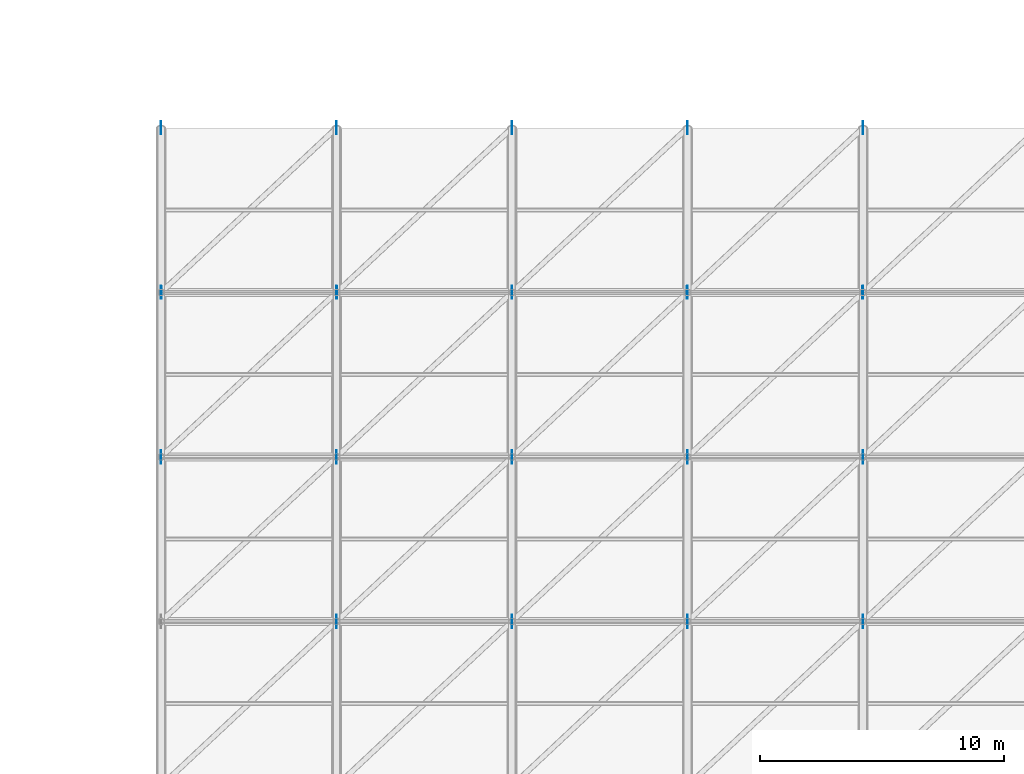
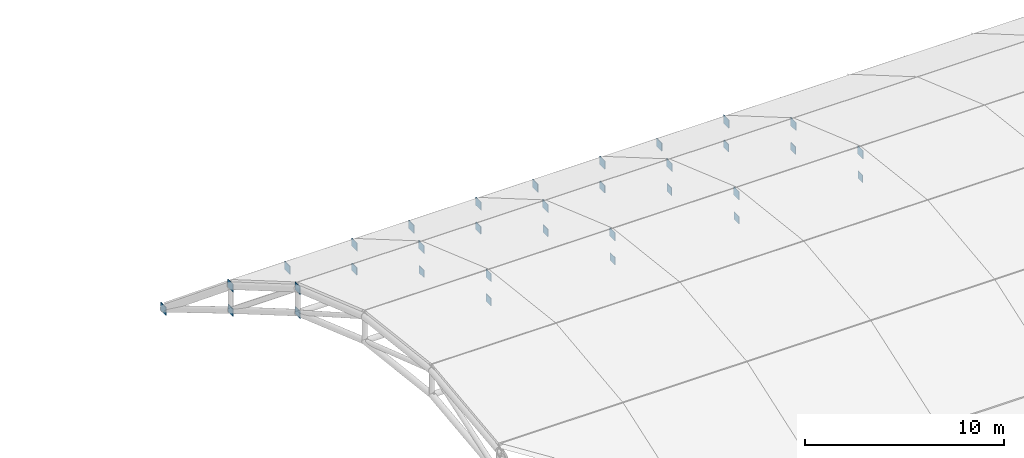
# One storey, part 60 of 72: 33 plates.
"""IFC4 building model written with IfcOpenShell, lengths in metres."""

from ifc_helpers import new_model, si_unit, direction, frame, origin, origin_2d, place, context, subcontext, project, spatial, rectangle, extrude, material, layer, layer_set, type_object, element, save


model = new_model("IFC4")

# Units and contexts
model_context = context("Model", 3, precision=1e-05, world=origin(), true_north=direction((0.0, 1.0)))
body_context = subcontext(model_context, "Body", "Model", "MODEL_VIEW")
ifc_project = project(units=[si_unit("LENGTHUNIT", "METRE"), si_unit("AREAUNIT", "SQUARE_METRE"), si_unit("VOLUMEUNIT", "CUBIC_METRE"), si_unit("PLANEANGLEUNIT", "RADIAN"), si_unit("MASSUNIT", "GRAM", prefix="KILO")], contexts=[model_context])

# Site, building, storey
site_placement = place(None, origin())
site = spatial("IfcSite", under=ifc_project, at=site_placement, CompositionType="ELEMENT")
building_placement = place(site_placement, origin())
building = spatial("IfcBuilding", under=site, at=building_placement, Name="Vaelcorin Mobility Hub", CompositionType="ELEMENT")
storey_placement = place(building_placement, frame((0.0, 0.0, 25.800048828125)))
storey = spatial("IfcBuildingStorey", under=building, at=storey_placement, Name="RF", CompositionType="ELEMENT", Elevation=25.800048828125)

# Plates
ifc_material = material(Name="Steel ASTM A572 Grade 50", Category="steel")
ifc_layer_1 = layer(ifc_material, 0.0400390625)
ifc_layer_set_1 = layer_set([ifc_layer_1], Name="Steel ASTM A572 Grade 50")
plate_type_1 = type_object("IfcPlateType", Name="PL-SN1", PredefinedType="USERDEFINED", material=ifc_layer_set_1)
for number, where, z_axis, x_axis, name in (
    (1, (36.0, 53.25, -16.01806640625), (0.0, 0.0, 1.0), (1.0, 0.0, 0.0), "Space-Frame Lower Node Gusset 1-7"),
    (2, (43.199951171875, 53.25, -16.01806640625), (0.0, 0.0, 1.0), (1.0, 0.0, 0.0), "Space-Frame Lower Node Gusset 2-7"),
    (3, (50.39990234375, 53.25, -16.01806640625), (0.0, 0.0, 1.0), (1.0, 0.0, 0.0), "Space-Frame Lower Node Gusset 3-7"),
    (4, (57.60009765625, 53.25, -16.01806640625), (0.0, 0.0, 1.0), (1.0, 0.0, 0.0), "Space-Frame Lower Node Gusset 4-7"),
    (5, (64.800048828125, 53.25, -16.01806640625), (0.0, 0.0, 1.0), (1.0, 0.0, 0.0), "Space-Frame Lower Node Gusset 5-7"),
):
    element("IfcPlate", number, at=place(storey_placement, frame(where, z_axis=z_axis, x_axis=x_axis)), inside=storey, type_object=plate_type_1, Name=name, ObjectType="GUSSET PLATE", PredefinedType="USERDEFINED", context=body_context, shape_type="SweptSolid", body=[
        extrude(rectangle(XDim=0.0400390625, YDim=0.5, at=origin_2d()), origin(), (0.0, 0.0, 1.0), 0.4599609375),
    ])
ifc_layer_2 = layer(ifc_material, 0.035888671875)
ifc_layer_set_2 = layer_set([ifc_layer_2], Name="Steel ASTM A572 Grade 50")
plate_type_2 = type_object("IfcPlateType", Name="PL-SN2", PredefinedType="USERDEFINED", material=ifc_layer_set_2)
for number, where, z_axis, x_axis, name in (
    (6, (36.0, 60.0, -20.050048828125), (0.0, 0.0, 1.0), (1.0, 0.0, 0.0), "Space-Frame Node Gusset SN2 1-8"),
    (7, (43.199951171875, 60.0, -20.050048828125), (0.0, 0.0, 1.0), (1.0, 0.0, 0.0), "Space-Frame Node Gusset SN2 2-8"),
    (8, (50.39990234375, 60.0, -20.050048828125), (0.0, 0.0, 1.0), (1.0, 0.0, 0.0), "Space-Frame Node Gusset SN2 3-8"),
    (9, (57.60009765625, 60.0, -20.050048828125), (0.0, 0.0, 1.0), (1.0, 0.0, 0.0), "Space-Frame Node Gusset SN2 4-8"),
    (10, (64.800048828125, 60.0, -20.050048828125), (0.0, 0.0, 1.0), (1.0, 0.0, 0.0), "Space-Frame Node Gusset SN2 5-8"),
):
    element("IfcPlate", number, at=place(storey_placement, frame(where, z_axis=z_axis, x_axis=x_axis)), inside=storey, type_object=plate_type_2, Name=name, ObjectType="GUSSET PLATE", PredefinedType="USERDEFINED", context=body_context, shape_type="SweptSolid", body=[
        extrude(rectangle(XDim=0.035888671875, YDim=0.5400390625, at=origin_2d()), origin(), (0.0, 0.0, 1.0), 0.5),
    ])
ifc_layer_3 = layer(ifc_material, 0.028076171875)
ifc_layer_set_3 = layer_set([ifc_layer_3], Name="Steel ASTM A572 Grade 50")
plate_type_3 = type_object("IfcPlateType", Name="PL-SN4", PredefinedType="USERDEFINED", material=ifc_layer_set_3)
plate_1_placement = place(storey_placement, frame((36.0, 46.5, -10.60009765625), z_axis=(0.0, 0.0, 1.0), x_axis=(1.0, 0.0, 0.0)))
element("IfcPlate", 11, at=plate_1_placement, inside=storey, type_object=plate_type_3, Name="Space-Frame Node Gusset SN4 1-6", ObjectType="GUSSET PLATE", PredefinedType="USERDEFINED", context=body_context, shape_type="SweptSolid", body=[
    extrude(rectangle(XDim=0.028076171875, YDim=0.5400390625, at=origin_2d()), origin(), (0.0, 0.0, 1.0), 0.5),
])
plate_2_placement = place(storey_placement, frame((36.0, 46.5, -12.080078125), z_axis=(0.0, 0.0, 1.0), x_axis=(1.0, 0.0, 0.0)))
element("IfcPlate", 12, at=plate_2_placement, inside=storey, type_object=plate_type_3, Name="Space-Frame Lower Node Gusset 1-6", ObjectType="GUSSET PLATE", PredefinedType="USERDEFINED", context=body_context, shape_type="SweptSolid", body=[
    extrude(rectangle(XDim=0.028076171875, YDim=0.5, at=origin_2d()), origin(), (0.0, 0.0, 1.0), 0.4599609375),
])
for number, where, z_axis, x_axis, name in (
    (13, (36.0, 53.25, -14.5380859375), (0.0, 0.0, 1.0), (1.0, 0.0, 0.0), "Space-Frame Node Gusset SN4 1-7"),
    (14, (43.199951171875, 39.75, -8.238037109375), (0.0, 0.0, 1.0), (1.0, 0.0, 0.0), "Space-Frame Node Gusset SN4 2-5"),
):
    element("IfcPlate", number, at=place(storey_placement, frame(where, z_axis=z_axis, x_axis=x_axis)), inside=storey, type_object=plate_type_3, Name=name, ObjectType="GUSSET PLATE", PredefinedType="USERDEFINED", context=body_context, shape_type="SweptSolid", body=[
        extrude(rectangle(XDim=0.028076171875, YDim=0.5400390625, at=origin_2d()), origin(), (0.0, 0.0, 1.0), 0.5),
    ])
plate_3_placement = place(storey_placement, frame((43.199951171875, 39.75, -9.718017578125), z_axis=(0.0, 0.0, 1.0), x_axis=(1.0, 0.0, 0.0)))
element("IfcPlate", 15, at=plate_3_placement, inside=storey, type_object=plate_type_3, Name="Space-Frame Lower Node Gusset 2-5", ObjectType="GUSSET PLATE", PredefinedType="USERDEFINED", context=body_context, shape_type="SweptSolid", body=[
    extrude(rectangle(XDim=0.028076171875, YDim=0.5, at=origin_2d()), origin(), (0.0, 0.0, 1.0), 0.4599609375),
])
plate_4_placement = place(storey_placement, frame((43.199951171875, 46.5, -10.60009765625), z_axis=(0.0, 0.0, 1.0), x_axis=(1.0, 0.0, 0.0)))
element("IfcPlate", 16, at=plate_4_placement, inside=storey, type_object=plate_type_3, Name="Space-Frame Node Gusset SN4 2-6", ObjectType="GUSSET PLATE", PredefinedType="USERDEFINED", context=body_context, shape_type="SweptSolid", body=[
    extrude(rectangle(XDim=0.028076171875, YDim=0.5400390625, at=origin_2d()), origin(), (0.0, 0.0, 1.0), 0.5),
])
plate_5_placement = place(storey_placement, frame((43.199951171875, 46.5, -12.080078125), z_axis=(0.0, 0.0, 1.0), x_axis=(1.0, 0.0, 0.0)))
element("IfcPlate", 17, at=plate_5_placement, inside=storey, type_object=plate_type_3, Name="Space-Frame Lower Node Gusset 2-6", ObjectType="GUSSET PLATE", PredefinedType="USERDEFINED", context=body_context, shape_type="SweptSolid", body=[
    extrude(rectangle(XDim=0.028076171875, YDim=0.5, at=origin_2d()), origin(), (0.0, 0.0, 1.0), 0.4599609375),
])
for number, where, z_axis, x_axis, name in (
    (18, (43.199951171875, 53.25, -14.5380859375), (0.0, 0.0, 1.0), (1.0, 0.0, 0.0), "Space-Frame Node Gusset SN4 2-7"),
    (19, (50.39990234375, 39.75, -8.238037109375), (0.0, 0.0, 1.0), (1.0, 0.0, 0.0), "Space-Frame Node Gusset SN4 3-5"),
):
    element("IfcPlate", number, at=place(storey_placement, frame(where, z_axis=z_axis, x_axis=x_axis)), inside=storey, type_object=plate_type_3, Name=name, ObjectType="GUSSET PLATE", PredefinedType="USERDEFINED", context=body_context, shape_type="SweptSolid", body=[
        extrude(rectangle(XDim=0.028076171875, YDim=0.5400390625, at=origin_2d()), origin(), (0.0, 0.0, 1.0), 0.5),
    ])
plate_6_placement = place(storey_placement, frame((50.39990234375, 39.75, -9.718017578125), z_axis=(0.0, 0.0, 1.0), x_axis=(1.0, 0.0, 0.0)))
element("IfcPlate", 20, at=plate_6_placement, inside=storey, type_object=plate_type_3, Name="Space-Frame Lower Node Gusset 3-5", ObjectType="GUSSET PLATE", PredefinedType="USERDEFINED", context=body_context, shape_type="SweptSolid", body=[
    extrude(rectangle(XDim=0.028076171875, YDim=0.5, at=origin_2d()), origin(), (0.0, 0.0, 1.0), 0.4599609375),
])
plate_7_placement = place(storey_placement, frame((50.39990234375, 46.5, -10.60009765625), z_axis=(0.0, 0.0, 1.0), x_axis=(1.0, 0.0, 0.0)))
element("IfcPlate", 21, at=plate_7_placement, inside=storey, type_object=plate_type_3, Name="Space-Frame Node Gusset SN4 3-6", ObjectType="GUSSET PLATE", PredefinedType="USERDEFINED", context=body_context, shape_type="SweptSolid", body=[
    extrude(rectangle(XDim=0.028076171875, YDim=0.5400390625, at=origin_2d()), origin(), (0.0, 0.0, 1.0), 0.5),
])
plate_8_placement = place(storey_placement, frame((50.39990234375, 46.5, -12.080078125), z_axis=(0.0, 0.0, 1.0), x_axis=(1.0, 0.0, 0.0)))
element("IfcPlate", 22, at=plate_8_placement, inside=storey, type_object=plate_type_3, Name="Space-Frame Lower Node Gusset 3-6", ObjectType="GUSSET PLATE", PredefinedType="USERDEFINED", context=body_context, shape_type="SweptSolid", body=[
    extrude(rectangle(XDim=0.028076171875, YDim=0.5, at=origin_2d()), origin(), (0.0, 0.0, 1.0), 0.4599609375),
])
for number, where, z_axis, x_axis, name in (
    (23, (50.39990234375, 53.25, -14.5380859375), (0.0, 0.0, 1.0), (1.0, 0.0, 0.0), "Space-Frame Node Gusset SN4 3-7"),
    (24, (57.60009765625, 39.75, -8.238037109375), (0.0, 0.0, 1.0), (1.0, 0.0, 0.0), "Space-Frame Node Gusset SN4 4-5"),
):
    element("IfcPlate", number, at=place(storey_placement, frame(where, z_axis=z_axis, x_axis=x_axis)), inside=storey, type_object=plate_type_3, Name=name, ObjectType="GUSSET PLATE", PredefinedType="USERDEFINED", context=body_context, shape_type="SweptSolid", body=[
        extrude(rectangle(XDim=0.028076171875, YDim=0.5400390625, at=origin_2d()), origin(), (0.0, 0.0, 1.0), 0.5),
    ])
plate_9_placement = place(storey_placement, frame((57.60009765625, 39.75, -9.718017578125), z_axis=(0.0, 0.0, 1.0), x_axis=(1.0, 0.0, 0.0)))
element("IfcPlate", 25, at=plate_9_placement, inside=storey, type_object=plate_type_3, Name="Space-Frame Lower Node Gusset 4-5", ObjectType="GUSSET PLATE", PredefinedType="USERDEFINED", context=body_context, shape_type="SweptSolid", body=[
    extrude(rectangle(XDim=0.028076171875, YDim=0.5, at=origin_2d()), origin(), (0.0, 0.0, 1.0), 0.4599609375),
])
plate_10_placement = place(storey_placement, frame((57.60009765625, 46.5, -10.60009765625), z_axis=(0.0, 0.0, 1.0), x_axis=(1.0, 0.0, 0.0)))
element("IfcPlate", 26, at=plate_10_placement, inside=storey, type_object=plate_type_3, Name="Space-Frame Node Gusset SN4 4-6", ObjectType="GUSSET PLATE", PredefinedType="USERDEFINED", context=body_context, shape_type="SweptSolid", body=[
    extrude(rectangle(XDim=0.028076171875, YDim=0.5400390625, at=origin_2d()), origin(), (0.0, 0.0, 1.0), 0.5),
])
plate_11_placement = place(storey_placement, frame((57.60009765625, 46.5, -12.080078125), z_axis=(0.0, 0.0, 1.0), x_axis=(1.0, 0.0, 0.0)))
element("IfcPlate", 27, at=plate_11_placement, inside=storey, type_object=plate_type_3, Name="Space-Frame Lower Node Gusset 4-6", ObjectType="GUSSET PLATE", PredefinedType="USERDEFINED", context=body_context, shape_type="SweptSolid", body=[
    extrude(rectangle(XDim=0.028076171875, YDim=0.5, at=origin_2d()), origin(), (0.0, 0.0, 1.0), 0.4599609375),
])
for number, where, z_axis, x_axis, name in (
    (28, (57.60009765625, 53.25, -14.5380859375), (0.0, 0.0, 1.0), (1.0, 0.0, 0.0), "Space-Frame Node Gusset SN4 4-7"),
    (29, (64.800048828125, 39.75, -8.238037109375), (0.0, 0.0, 1.0), (1.0, 0.0, 0.0), "Space-Frame Node Gusset SN4 5-5"),
):
    element("IfcPlate", number, at=place(storey_placement, frame(where, z_axis=z_axis, x_axis=x_axis)), inside=storey, type_object=plate_type_3, Name=name, ObjectType="GUSSET PLATE", PredefinedType="USERDEFINED", context=body_context, shape_type="SweptSolid", body=[
        extrude(rectangle(XDim=0.028076171875, YDim=0.5400390625, at=origin_2d()), origin(), (0.0, 0.0, 1.0), 0.5),
    ])
plate_12_placement = place(storey_placement, frame((64.800048828125, 39.75, -9.718017578125), z_axis=(0.0, 0.0, 1.0), x_axis=(1.0, 0.0, 0.0)))
element("IfcPlate", 30, at=plate_12_placement, inside=storey, type_object=plate_type_3, Name="Space-Frame Lower Node Gusset 5-5", ObjectType="GUSSET PLATE", PredefinedType="USERDEFINED", context=body_context, shape_type="SweptSolid", body=[
    extrude(rectangle(XDim=0.028076171875, YDim=0.5, at=origin_2d()), origin(), (0.0, 0.0, 1.0), 0.4599609375),
])
plate_13_placement = place(storey_placement, frame((64.800048828125, 46.5, -10.60009765625), z_axis=(0.0, 0.0, 1.0), x_axis=(1.0, 0.0, 0.0)))
element("IfcPlate", 31, at=plate_13_placement, inside=storey, type_object=plate_type_3, Name="Space-Frame Node Gusset SN4 5-6", ObjectType="GUSSET PLATE", PredefinedType="USERDEFINED", context=body_context, shape_type="SweptSolid", body=[
    extrude(rectangle(XDim=0.028076171875, YDim=0.5400390625, at=origin_2d()), origin(), (0.0, 0.0, 1.0), 0.5),
])
plate_14_placement = place(storey_placement, frame((64.800048828125, 46.5, -12.080078125), z_axis=(0.0, 0.0, 1.0), x_axis=(1.0, 0.0, 0.0)))
element("IfcPlate", 32, at=plate_14_placement, inside=storey, type_object=plate_type_3, Name="Space-Frame Lower Node Gusset 5-6", ObjectType="GUSSET PLATE", PredefinedType="USERDEFINED", context=body_context, shape_type="SweptSolid", body=[
    extrude(rectangle(XDim=0.028076171875, YDim=0.5, at=origin_2d()), origin(), (0.0, 0.0, 1.0), 0.4599609375),
])
plate_15_placement = place(storey_placement, frame((64.800048828125, 53.25, -14.5380859375), z_axis=(0.0, 0.0, 1.0), x_axis=(1.0, 0.0, 0.0)))
element("IfcPlate", 33, at=plate_15_placement, inside=storey, type_object=plate_type_3, Name="Space-Frame Node Gusset SN4 5-7", ObjectType="GUSSET PLATE", PredefinedType="USERDEFINED", context=body_context, shape_type="SweptSolid", body=[
    extrude(rectangle(XDim=0.028076171875, YDim=0.5400390625, at=origin_2d()), origin(), (0.0, 0.0, 1.0), 0.5),
])

save(model, "model.ifc")
